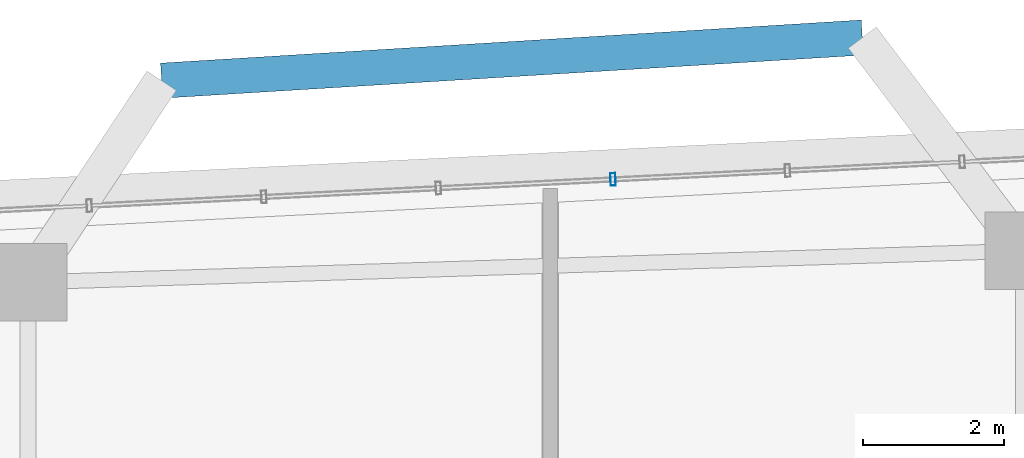
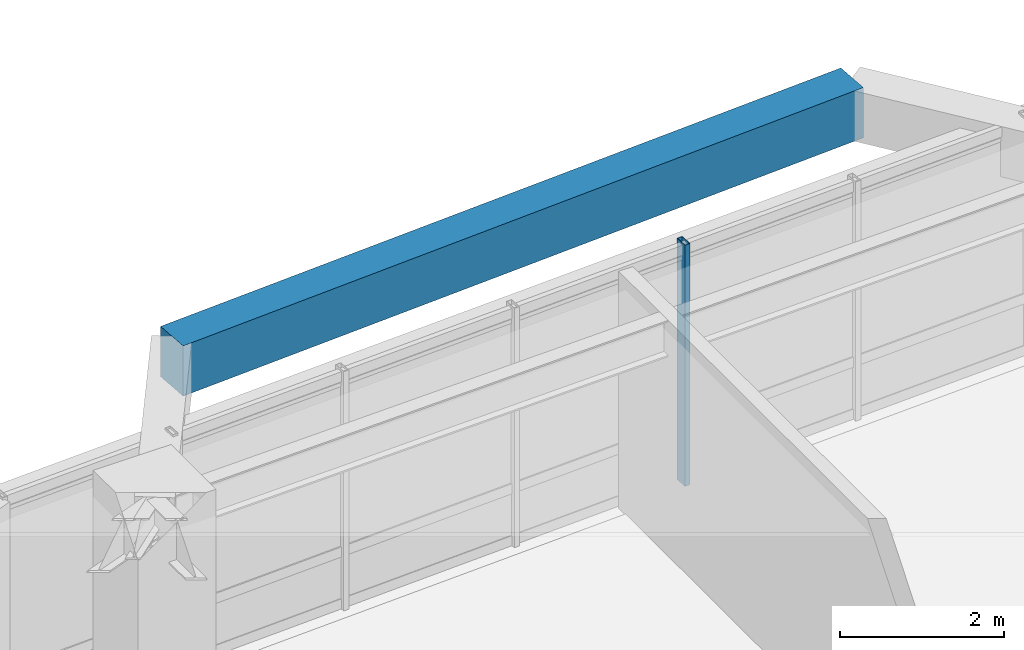
# One storey, part 4 of 14: 1 beam, 1 member, 1 element without a shape of its own.
"""IFC4 building model written with IfcOpenShell, lengths in metres."""

from ifc_helpers import new_model, si_unit, direction, frame, origin, origin_2d, place, context, subcontext, project, spatial, rectangle, hollow_rectangle, extrude, material, material_profile, profile_set, type_object, element, aggregate, save


model = new_model("IFC4")

# Units and contexts
model_context = context("Model", 3, precision=1e-05, world=origin(), true_north=direction((0.0, 1.0)))
body_context = subcontext(model_context, "Body", "Model", "MODEL_VIEW")
ifc_project = project(units=[si_unit("LENGTHUNIT", "METRE"), si_unit("AREAUNIT", "SQUARE_METRE"), si_unit("VOLUMEUNIT", "CUBIC_METRE"), si_unit("PLANEANGLEUNIT", "RADIAN"), si_unit("MASSUNIT", "GRAM", prefix="KILO")], contexts=[model_context])

# Site, building, storey
site_placement = place(None, origin())
site = spatial("IfcSite", under=ifc_project, at=site_placement, CompositionType="ELEMENT")
building_placement = place(site_placement, origin())
building = spatial("IfcBuilding", under=site, at=building_placement, Name="Zulverin Broadcast Headquarters", CompositionType="ELEMENT")
storey_placement = place(building_placement, frame((0.0, 0.0, 147.800048828125)))
storey = spatial("IfcBuildingStorey", under=building, at=storey_placement, Name="L37", CompositionType="ELEMENT", Elevation=147.800048828125)

# Beam
ifc_material_1 = material(Name="Concrete C40/50", Category="concrete")
ifc_material_profile_1 = material_profile(ifc_material_1, rectangle(XDim=0.5, YDim=0.75, at=origin_2d()), Name="Concrete C40/50", Category="concrete")
ifc_profile_set_1 = profile_set([ifc_material_profile_1], Name="Concrete C40/50")
beam_type = type_object("IfcBeamType", Name="BM-RC-500x750", PredefinedType="BEAM", material=ifc_profile_set_1)
beam_placement = place(storey_placement, frame((42.7333984375, 49.7529296875, 3.1650390625), z_axis=(-0.998113439665, -0.06139675529, 0.0), x_axis=(0.06139675529, -0.998113439665, 0.0)))
element("IfcBeam", 1, at=beam_placement, inside=storey, type_object=beam_type, Name="L38 Balcony Outer Edge Trimmer Beam BAL_N", PredefinedType="BEAM", context=body_context, shape_type="SweptSolid", body=[
    extrude(rectangle(XDim=0.5, YDim=0.75, at=origin_2d()), origin(), (0.0, 0.0, 1.0), 9.972900390625),
])

# Curtain wall, member
ifc_material_2 = material(Name="Waist wind-pressure unitised curtain wall", Category="aluminium")
curtain_wall_type = type_object("IfcCurtainWallType", Name="CW-TWR-WST", PredefinedType="USERDEFINED", material=ifc_material_2)
curtain_wall_placement = place(storey_placement, origin())
curtain_wall = element("IfcCurtainWall", 2, at=curtain_wall_placement, inside=storey, type_object=curtain_wall_type, Name="L37 Unitised Curtain Wall CW-L37-E5", ObjectType="UNITISED CURTAIN WALL", PredefinedType="USERDEFINED")
ifc_material_3 = material(Name="Anodized pale-metal aluminium alloy 6063-T6", Category="aluminium")
ifc_material_profile_2 = material_profile(ifc_material_3, hollow_rectangle(XDim=0.074951171875, YDim=0.179931640625, WallThickness=0.0048828125, at=origin_2d()), Name="Anodized pale-metal aluminium alloy 6063-T6", Category="aluminium")
ifc_profile_set_2 = profile_set([ifc_material_profile_2], Name="Anodized pale-metal aluminium alloy 6063-T6")
member_type = type_object("IfcMemberType", Name="CW-MUL-180", PredefinedType="MULLION", material=ifc_profile_set_2)
member_placement = place(storey_placement, frame((39.191162109375, 47.73779296875, -0.030029296875), z_axis=(0.0, 0.0, 1.0), x_axis=(-0.998743962301, -0.050104867704, 0.0)))
member = element("IfcMember", 3, at=member_placement, type_object=member_type, Name="CW-L37-E5 Mullion 03", PredefinedType="MULLION", context=body_context, shape_type="SweptSolid", body=[
    extrude(hollow_rectangle(XDim=0.074951171875, YDim=0.179931640625, WallThickness=0.0048828125, at=origin_2d()), origin(), (0.0, 0.0, 1.0), 3.60009765625),
])
aggregate(curtain_wall, [member])

save(model, "model.ifc")
